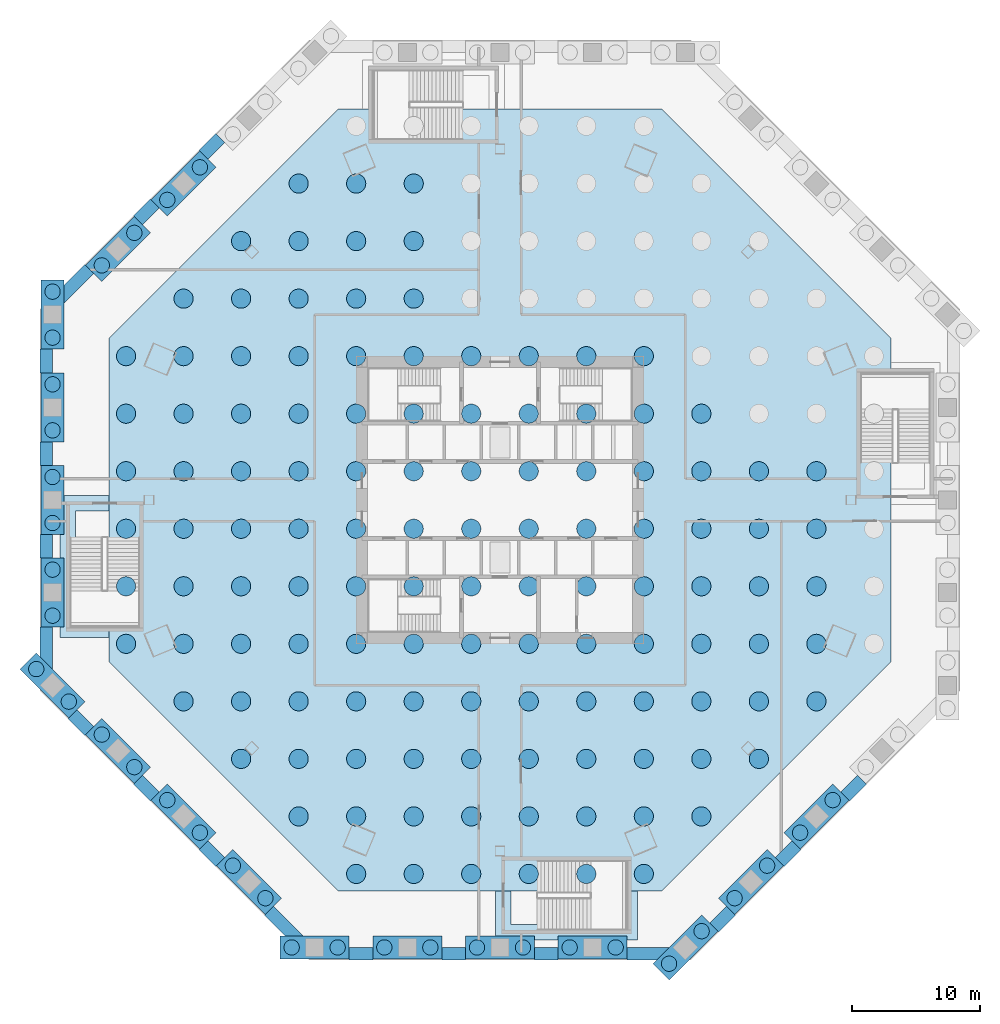
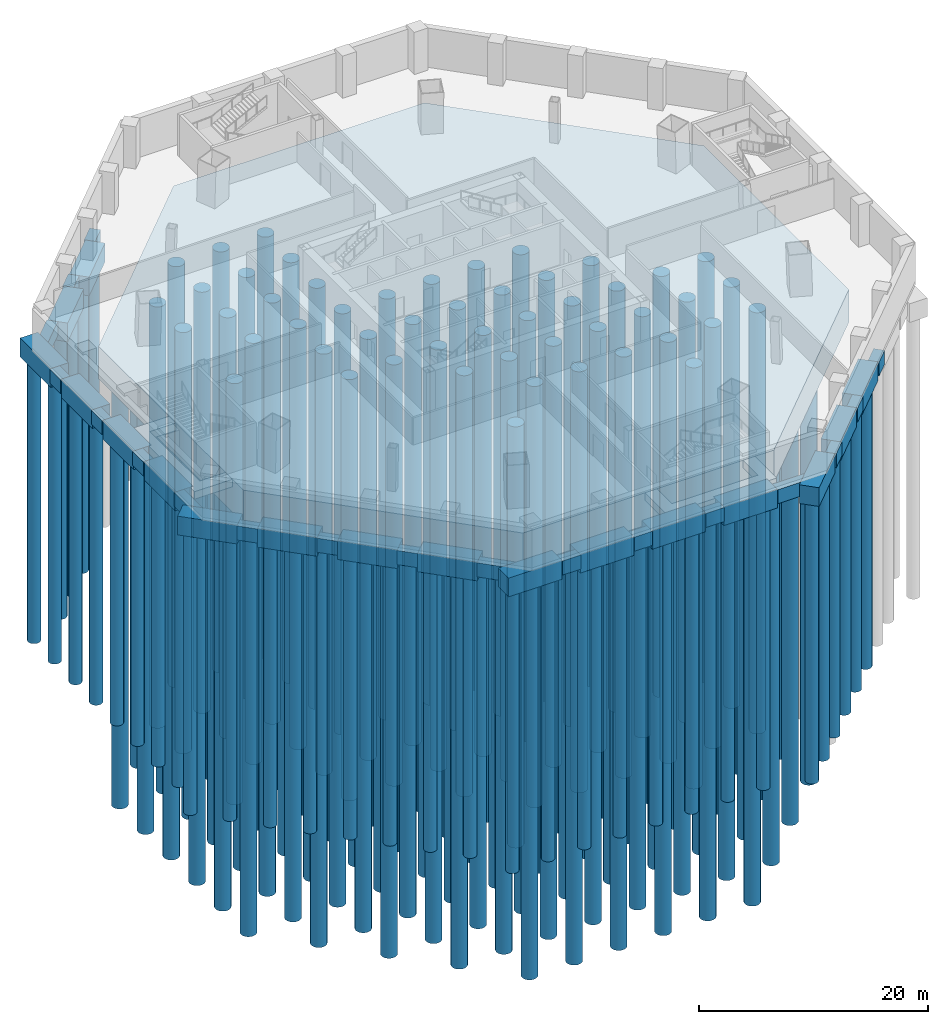
# One storey, part 1 of 11: 155 piles, 38 footings.
"""IFC4 building model written with IfcOpenShell, lengths in metres."""

import ifcopenshell
import ifcopenshell.guid

model = None  # the IFC model being written
_history = None  # IfcOwnerHistory: only IFC2X3 demands one
_inside = {}  # id of a spatial element -> (the spatial element, [elements in it])
_under = {}  # id of a project, library or spatial element -> (it, [spatial elements below it])
_declared = {}  # id of a project -> (the project, [libraries it declares])
_typed = {}  # id of a type object -> (the type object, [elements of that type])
_made_of = {}  # id of a material, layer set ... -> (it, [elements and type objects made of it])


def new_model(schema):
    """Start an empty IFC model of exactly this schema.

    Asked for "IFC4X3", IfcOpenShell would pick the latest addendum, in which some entities
    have other attributes; the version numbers below select the first issue.
    IFC2X3 requires an IfcOwnerHistory on every rooted entity: one is made here for all.
    """
    global model, _history
    if schema == "IFC4X3":
        model = ifcopenshell.file(schema_version=(4, 3, 0, 0))
    else:
        model = ifcopenshell.file(schema=schema)
    _inside.clear()
    _under.clear()
    _declared.clear()
    _typed.clear()
    _made_of.clear()
    _history = None
    if model.schema == "IFC2X3":
        org = make("IfcOrganization", Name="unknown")
        user = make(
            "IfcPersonAndOrganization",
            ThePerson=make("IfcPerson", FamilyName="unknown"),
            TheOrganization=org,
        )
        app = make(
            "IfcApplication",
            ApplicationDeveloper=org,
            Version="unknown",
            ApplicationFullName="unknown",
            ApplicationIdentifier="unknown",
        )
        _history = make(
            "IfcOwnerHistory",
            OwningUser=user,
            OwningApplication=app,
            ChangeAction="ADDED",
            CreationDate=0,
        )
    return model


def make(cls, **values):
    """One entity of the class cls with the attributes given. An attribute that is None is left unset."""
    return model.create_entity(
        cls, **{name: value for name, value in values.items() if value is not None}
    )


def rooted(cls, **values):
    """An entity with a GlobalId (a new one), such as an element, a storey or a relation."""
    return make(cls, GlobalId=ifcopenshell.guid.new(), OwnerHistory=_history, **values)


def si_unit(unit_type, name, prefix=None):
    """IfcSIUnit, for example si_unit("LENGTHUNIT", "METRE", prefix="MILLI")."""
    return make("IfcSIUnit", UnitType=unit_type, Prefix=prefix, Name=name)


def assignment(units):
    """IfcUnitAssignment: the units of a project."""
    return None if units is None else make("IfcUnitAssignment", Units=units)


def point(xyz):
    """IfcCartesianPoint."""
    return None if xyz is None else make("IfcCartesianPoint", Coordinates=xyz)


def direction(xyz):
    """IfcDirection."""
    return None if xyz is None else make("IfcDirection", DirectionRatios=xyz)


def frame(location, z_axis=None, x_axis=None):
    """IfcAxis2Placement3D, a coordinate frame: its origin and axes. An axis left out is left unset."""
    return make(
        "IfcAxis2Placement3D",
        Location=point(location),
        Axis=direction(z_axis),
        RefDirection=direction(x_axis),
    )


def frame_2d(location, x_axis=None):
    """IfcAxis2Placement2D, a coordinate frame in the plane: its origin and x axis."""
    return make(
        "IfcAxis2Placement2D", Location=point(location), RefDirection=direction(x_axis)
    )


def origin():
    """The frame at (0, 0, 0) with its axes left unset."""
    return frame((0.0, 0.0, 0.0))


def origin_2d():
    """The frame at (0, 0) in the plane with its x axis left unset."""
    return frame_2d((0.0, 0.0))


def place(relative_to, where):
    """IfcLocalPlacement: puts the frame where relative to a parent placement (None: the world)."""
    return make(
        "IfcLocalPlacement", PlacementRelTo=relative_to, RelativePlacement=where
    )


def context(
    kind, dimensions, precision=None, world=None, true_north=None, identifier=None
):
    """IfcGeometricRepresentationContext, for example the 3D "Model" context."""
    return make(
        "IfcGeometricRepresentationContext",
        ContextIdentifier=identifier,
        ContextType=kind,
        CoordinateSpaceDimension=dimensions,
        Precision=precision,
        WorldCoordinateSystem=world,
        TrueNorth=true_north,
    )


def subcontext(parent, identifier, kind, view, scale=None):
    """IfcGeometricRepresentationSubContext, for example "Body" below "Model"."""
    return make(
        "IfcGeometricRepresentationSubContext",
        ContextIdentifier=identifier,
        ContextType=kind,
        ParentContext=parent,
        TargetScale=scale,
        TargetView=view,
    )


def project(units=None, contexts=None):
    """IfcProject with its units and contexts."""
    return rooted(
        "IfcProject",
        Name="project",
        RepresentationContexts=contexts,
        UnitsInContext=assignment(units),
    )


def spatial(cls, under=None, at=None, **own):
    """A site, building, storey or space (cls), placed at a placement, below another one or the project."""
    s = rooted(cls, ObjectPlacement=at, **own)
    if under is not None:
        _under.setdefault(under.id(), (under, []))[1].append(s)
    return s


def polyline(points):
    """IfcPolyline through the points."""
    return make("IfcPolyline", Points=[point(p) for p in points])


def profile(cls, at=None, kind="AREA", **sizes):
    """A parametric profile (cls). Its sizes go by their IFC names, for example OverallWidth=200.0."""
    return make(cls, ProfileType=kind, Position=at, **sizes)


def rectangle(**sizes):
    """IfcRectangleProfileDef."""
    return profile("IfcRectangleProfileDef", **sizes)


def circle(**sizes):
    """IfcCircleProfileDef."""
    return profile("IfcCircleProfileDef", **sizes)


def outline(outer, holes=None, kind="AREA"):
    """IfcArbitraryClosedProfileDef: a profile drawn as a closed curve; with holes, ...WithVoids."""
    if holes is None:
        return make("IfcArbitraryClosedProfileDef", ProfileType=kind, OuterCurve=outer)
    return make(
        "IfcArbitraryProfileDefWithVoids",
        ProfileType=kind,
        OuterCurve=outer,
        InnerCurves=holes,
    )


def extrude(swept, where, along, depth):
    """IfcExtrudedAreaSolid: the profile swept, set in the frame where, extruded along a direction by depth."""
    return make(
        "IfcExtrudedAreaSolid",
        SweptArea=swept,
        Position=where,
        ExtrudedDirection=direction(along),
        Depth=depth,
    )


def shape(context_of_items, identifier, shape_type, items):
    """IfcShapeRepresentation: the items that make up one representation, for example the "Body"."""
    return make(
        "IfcShapeRepresentation",
        ContextOfItems=context_of_items,
        RepresentationIdentifier=identifier,
        RepresentationType=shape_type,
        Items=items,
    )


def material(Name=None, Category=None):
    """IfcMaterial."""
    return make("IfcMaterial", Name=Name, Category=Category)


def layer(
    of_material, thickness, ventilated=None, Name=None, Category=None, Priority=None
):
    """IfcMaterialLayer: one layer of a wall or slab, of a material (None: an air gap)."""
    return make(
        "IfcMaterialLayer",
        Material=of_material,
        LayerThickness=thickness,
        IsVentilated=ventilated,
        Name=Name,
        Category=Category,
        Priority=Priority,
    )


def layer_set(layers, Name=None):
    """IfcMaterialLayerSet."""
    return make("IfcMaterialLayerSet", MaterialLayers=layers, LayerSetName=Name)


def material_profile(
    of_material, cross_section, Name=None, Category=None, Priority=None
):
    """IfcMaterialProfile: a cross section and its material."""
    return make(
        "IfcMaterialProfile",
        Name=Name,
        Material=of_material,
        Profile=cross_section,
        Priority=Priority,
        Category=Category,
    )


def profile_set(profiles, Name=None, composite=None):
    """IfcMaterialProfileSet."""
    return make(
        "IfcMaterialProfileSet",
        Name=Name,
        MaterialProfiles=profiles,
        CompositeProfile=composite,
    )


def made_of(thing, what):
    """Note that an element or type object is made of a material, layer set ...; save() writes the relation."""
    if what is not None:
        _made_of.setdefault(what.id(), (what, []))[1].append(thing)
    return thing


def type_object(cls, material=None, **own):
    """A type object (cls), such as IfcWallType, which elements share."""
    return made_of(rooted(cls, **own), material)


def element(
    cls,
    number,
    at=None,
    inside=None,
    cuts=None,
    type_object=None,
    material=None,
    context=None,
    identifier="Body",
    shape_type=None,
    held_by="IfcProductDefinitionShape",
    body=None,
    shapes=None,
    **own,
):
    """One element of the class cls, such as IfcWall. Its Tag is "e" and its number.

    at: its placement. inside: the storey or other place that contains it. cuts: it is an
    opening in that element (IfcRelVoidsElement). A single representation is given by context,
    identifier, shape_type and body (its items); several are given by shapes. held_by: the class
    of the entity that holds the representations. save() writes the other relations.
    """
    e = rooted(cls, Tag="e%d" % number, ObjectPlacement=at, **own)
    if body is not None:
        shapes = [shape(context, identifier, shape_type, body)]
    if shapes is not None:
        e.Representation = make(held_by, Representations=shapes)
    if inside is not None:
        _inside.setdefault(inside.id(), (inside, []))[1].append(e)
    if cuts is not None:
        rooted(
            "IfcRelVoidsElement", RelatingBuildingElement=cuts, RelatedOpeningElement=e
        )
    if type_object is not None:
        _typed.setdefault(type_object.id(), (type_object, []))[1].append(e)
    return made_of(e, material)


def aggregate(whole, parts):
    """IfcRelAggregates: a whole, such as a stair, and the parts it consists of."""
    return rooted("IfcRelAggregates", RelatingObject=whole, RelatedObjects=parts)


def save(model, path):
    """Write the relations noted so far, then the file.

    IfcRelAggregates (storeys below a building ...), IfcRelContainedInSpatialStructure (elements
    in a storey), IfcRelDefinesByType, IfcRelAssociatesMaterial and IfcRelDeclares: one each for
    every whole, place, type object, material and project.
    """
    for whole, parts in _under.values():
        aggregate(whole, parts)
    for where, things in _inside.values():
        rooted(
            "IfcRelContainedInSpatialStructure",
            RelatedElements=things,
            RelatingStructure=where,
        )
    for kind, things in _typed.values():
        rooted("IfcRelDefinesByType", RelatedObjects=things, RelatingType=kind)
    for what, things in _made_of.values():
        rooted("IfcRelAssociatesMaterial", RelatedObjects=things, RelatingMaterial=what)
    for by, libraries in _declared.values():
        rooted("IfcRelDeclares", RelatingContext=by, RelatedDefinitions=libraries)
    model.write(path)


model = new_model("IFC4")

# Units and contexts
model_context = context("Model", 3, precision=1e-05, world=origin(), true_north=direction((0.0, 1.0)))
body_context = subcontext(model_context, "Body", "Model", "MODEL_VIEW")
ifc_project = project(units=[si_unit("LENGTHUNIT", "METRE"), si_unit("AREAUNIT", "SQUARE_METRE"), si_unit("VOLUMEUNIT", "CUBIC_METRE"), si_unit("PLANEANGLEUNIT", "RADIAN"), si_unit("MASSUNIT", "GRAM", prefix="KILO")], contexts=[model_context])

# Site, building, storey
site_placement = place(None, origin())
site = spatial("IfcSite", under=ifc_project, at=site_placement, CompositionType="ELEMENT")
building_placement = place(site_placement, origin())
building = spatial("IfcBuilding", under=site, at=building_placement, Name="Mashrafa Tower", CompositionType="ELEMENT")
storey_placement = place(building_placement, frame((0.0, 0.0, -9.0)))
storey = spatial("IfcBuildingStorey", under=building, at=storey_placement, Name="B2", CompositionType="ELEMENT", Elevation=-9.0)

# Piles
ifc_material_1 = material(Name="Concrete C40/50", Category="concrete")
ifc_material_profile_1 = material_profile(ifc_material_1, circle(Radius=0.60009765625, at=origin_2d()), Name="1200 DIA")
ifc_profile_set_1 = profile_set([ifc_material_profile_1], Name="Concrete C40/50")
pile_type_1 = type_object("IfcPileType", Name="Bored pile 1200", PredefinedType="BORED", material=ifc_profile_set_1)
for number, where, z_axis, x_axis, name in (
    (1, (-23.475830078125, 26.021484375, -2.35009765625), (0.0, 0.0, -1.0), (1.0, 0.0, 0.0), "Pile PC15-1"),
    (2, (-26.021484375, 23.475830078125, -2.35009765625), (0.0, 0.0, -1.0), (1.0, 0.0, 0.0), "Pile PC15-2"),
    (3, (-28.6015625, 20.89599609375, -2.35009765625), (0.0, 0.0, -1.0), (1.0, 0.0, 0.0), "Pile PC16-1"),
    (4, (-31.147216796875, 18.350341796875, -2.35009765625), (0.0, 0.0, -1.0), (1.0, 0.0, 0.0), "Pile PC16-2"),
    (5, (-35.0, 16.29736328125, -2.35009765625), (0.0, 0.0, -1.0), (1.0, 0.0, 0.0), "Pile PC17-1"),
    (6, (-35.0, 12.697509765625, -2.35009765625), (0.0, 0.0, -1.0), (1.0, 0.0, 0.0), "Pile PC17-2"),
    (7, (-35.0, 9.048828125, -2.35009765625), (0.0, 0.0, -1.0), (1.0, 0.0, 0.0), "Pile PC18-1"),
    (8, (-35.0, 5.44873046875, -2.35009765625), (0.0, 0.0, -1.0), (1.0, 0.0, 0.0), "Pile PC18-2"),
    (9, (-35.0, 1.800048828125, -2.35009765625), (0.0, 0.0, -1.0), (1.0, 0.0, 0.0), "Pile PC19-1"),
    (10, (-35.0, -1.800048828125, -2.35009765625), (0.0, 0.0, -1.0), (1.0, 0.0, 0.0), "Pile PC19-2"),
    (11, (-35.0, -5.44873046875, -2.35009765625), (0.0, 0.0, -1.0), (1.0, 0.0, 0.0), "Pile PC20-1"),
    (12, (-35.0, -9.048828125, -2.35009765625), (0.0, 0.0, -1.0), (1.0, 0.0, 0.0), "Pile PC20-2"),
    (13, (-36.272705078125, -13.224609375, -2.35009765625), (0.0, 0.0, -1.0), (1.0, 0.0, 0.0), "Pile PC21-1"),
    (14, (-33.727294921875, -15.770263671875, -2.35009765625), (0.0, 0.0, -1.0), (1.0, 0.0, 0.0), "Pile PC21-2"),
    (15, (-31.147216796875, -18.350341796875, -2.35009765625), (0.0, 0.0, -1.0), (1.0, 0.0, 0.0), "Pile PC22-1"),
    (16, (-28.6015625, -20.89599609375, -2.35009765625), (0.0, 0.0, -1.0), (1.0, 0.0, 0.0), "Pile PC22-2"),
    (17, (-26.021484375, -23.475830078125, -2.35009765625), (0.0, 0.0, -1.0), (1.0, 0.0, 0.0), "Pile PC23-1"),
    (18, (-23.475830078125, -26.021484375, -2.35009765625), (0.0, 0.0, -1.0), (1.0, 0.0, 0.0), "Pile PC23-2"),
    (19, (-20.89599609375, -28.6015625, -2.35009765625), (0.0, 0.0, -1.0), (1.0, 0.0, 0.0), "Pile PC24-1"),
    (20, (-18.350341796875, -31.147216796875, -2.35009765625), (0.0, 0.0, -1.0), (1.0, 0.0, 0.0), "Pile PC24-2"),
    (21, (-16.29736328125, -35.0, -2.35009765625), (0.0, 0.0, -1.0), (1.0, 0.0, 0.0), "Pile PC25-1"),
    (22, (-12.697509765625, -35.0, -2.35009765625), (0.0, 0.0, -1.0), (1.0, 0.0, 0.0), "Pile PC25-2"),
    (23, (-9.048828125, -35.0, -2.35009765625), (0.0, 0.0, -1.0), (1.0, 0.0, 0.0), "Pile PC26-1"),
    (24, (-5.44873046875, -35.0, -2.35009765625), (0.0, 0.0, -1.0), (1.0, 0.0, 0.0), "Pile PC26-2"),
    (25, (-1.800048828125, -35.0, -2.35009765625), (0.0, 0.0, -1.0), (1.0, 0.0, 0.0), "Pile PC27-1"),
    (26, (1.800048828125, -35.0, -2.35009765625), (0.0, 0.0, -1.0), (1.0, 0.0, 0.0), "Pile PC27-2"),
    (27, (5.44873046875, -35.0, -2.35009765625), (0.0, 0.0, -1.0), (1.0, 0.0, 0.0), "Pile PC28-1"),
    (28, (9.048828125, -35.0, -2.35009765625), (0.0, 0.0, -1.0), (1.0, 0.0, 0.0), "Pile PC28-2"),
    (29, (13.224609375, -36.272705078125, -2.35009765625), (0.0, 0.0, -1.0), (1.0, 0.0, 0.0), "Pile PC29-1"),
    (30, (15.770263671875, -33.727294921875, -2.35009765625), (0.0, 0.0, -1.0), (1.0, 0.0, 0.0), "Pile PC29-2"),
    (31, (18.350341796875, -31.147216796875, -2.35009765625), (0.0, 0.0, -1.0), (1.0, 0.0, 0.0), "Pile PC30-1"),
    (32, (20.89599609375, -28.6015625, -2.35009765625), (0.0, 0.0, -1.0), (1.0, 0.0, 0.0), "Pile PC30-2"),
    (33, (23.475830078125, -26.021484375, -2.35009765625), (0.0, 0.0, -1.0), (1.0, 0.0, 0.0), "Pile PC31-1"),
    (34, (26.021484375, -23.475830078125, -2.35009765625), (0.0, 0.0, -1.0), (1.0, 0.0, 0.0), "Pile PC31-2"),
):
    element("IfcPile", number, at=place(storey_placement, frame(where, z_axis=z_axis, x_axis=x_axis)), inside=storey, type_object=pile_type_1, Name=name, PredefinedType="BORED", context=body_context, shape_type="SweptSolid", body=[
        extrude(circle(Radius=0.60009765625, at=origin_2d()), origin(), (0.0, 0.0, 1.0), 30.0),
    ])
ifc_material_2 = material(Name="Concrete C40/50", Category="concrete")
ifc_material_profile_2 = material_profile(ifc_material_2, circle(Radius=0.75, at=origin_2d()), Name="1500 DIA")
ifc_profile_set_2 = profile_set([ifc_material_profile_2], Name="Concrete C40/50")
pile_type_2 = type_object("IfcPileType", Name="Bored pile 1500", PredefinedType="BORED", material=ifc_profile_set_2)
for number, where, z_axis, x_axis, name in (
    (35, (-11.25, -29.25, -3.85009765625), (0.0, 0.0, -1.0), (1.0, 0.0, 0.0), "Raft pile 001"),
    (36, (-6.75, -29.25, -3.85009765625), (0.0, 0.0, -1.0), (1.0, 0.0, 0.0), "Raft pile 002"),
    (37, (-2.25, -29.25, -3.85009765625), (0.0, 0.0, -1.0), (1.0, 0.0, 0.0), "Raft pile 003"),
    (38, (2.25, -29.25, -3.85009765625), (0.0, 0.0, -1.0), (1.0, 0.0, 0.0), "Raft pile 004"),
    (39, (6.75, -29.25, -3.85009765625), (0.0, 0.0, -1.0), (1.0, 0.0, 0.0), "Raft pile 005"),
    (40, (11.25, -29.25, -3.85009765625), (0.0, 0.0, -1.0), (1.0, 0.0, 0.0), "Raft pile 006"),
    (41, (-15.75, -24.75, -3.85009765625), (0.0, 0.0, -1.0), (1.0, 0.0, 0.0), "Raft pile 007"),
    (42, (-11.25, -24.75, -3.85009765625), (0.0, 0.0, -1.0), (1.0, 0.0, 0.0), "Raft pile 008"),
    (43, (-6.75, -24.75, -3.85009765625), (0.0, 0.0, -1.0), (1.0, 0.0, 0.0), "Raft pile 009"),
    (44, (-2.25, -24.75, -3.85009765625), (0.0, 0.0, -1.0), (1.0, 0.0, 0.0), "Raft pile 010"),
    (45, (2.25, -24.75, -3.85009765625), (0.0, 0.0, -1.0), (1.0, 0.0, 0.0), "Raft pile 011"),
    (46, (6.75, -24.75, -3.85009765625), (0.0, 0.0, -1.0), (1.0, 0.0, 0.0), "Raft pile 012"),
    (47, (11.25, -24.75, -3.85009765625), (0.0, 0.0, -1.0), (1.0, 0.0, 0.0), "Raft pile 013"),
    (48, (15.75, -24.75, -3.85009765625), (0.0, 0.0, -1.0), (1.0, 0.0, 0.0), "Raft pile 014"),
    (49, (-20.25, -20.25, -3.85009765625), (0.0, 0.0, -1.0), (1.0, 0.0, 0.0), "Raft pile 015"),
    (50, (-15.75, -20.25, -3.85009765625), (0.0, 0.0, -1.0), (1.0, 0.0, 0.0), "Raft pile 016"),
    (51, (-11.25, -20.25, -3.85009765625), (0.0, 0.0, -1.0), (1.0, 0.0, 0.0), "Raft pile 017"),
    (52, (-6.75, -20.25, -3.85009765625), (0.0, 0.0, -1.0), (1.0, 0.0, 0.0), "Raft pile 018"),
    (53, (-2.25, -20.25, -3.85009765625), (0.0, 0.0, -1.0), (1.0, 0.0, 0.0), "Raft pile 019"),
    (54, (2.25, -20.25, -3.85009765625), (0.0, 0.0, -1.0), (1.0, 0.0, 0.0), "Raft pile 020"),
    (55, (6.75, -20.25, -3.85009765625), (0.0, 0.0, -1.0), (1.0, 0.0, 0.0), "Raft pile 021"),
    (56, (11.25, -20.25, -3.85009765625), (0.0, 0.0, -1.0), (1.0, 0.0, 0.0), "Raft pile 022"),
    (57, (15.75, -20.25, -3.85009765625), (0.0, 0.0, -1.0), (1.0, 0.0, 0.0), "Raft pile 023"),
    (58, (20.25, -20.25, -3.85009765625), (0.0, 0.0, -1.0), (1.0, 0.0, 0.0), "Raft pile 024"),
    (59, (-24.75, -15.75, -3.85009765625), (0.0, 0.0, -1.0), (1.0, 0.0, 0.0), "Raft pile 025"),
    (60, (-20.25, -15.75, -3.85009765625), (0.0, 0.0, -1.0), (1.0, 0.0, 0.0), "Raft pile 026"),
    (61, (-15.75, -15.75, -3.85009765625), (0.0, 0.0, -1.0), (1.0, 0.0, 0.0), "Raft pile 027"),
    (62, (-11.25, -15.75, -3.85009765625), (0.0, 0.0, -1.0), (1.0, 0.0, 0.0), "Raft pile 028"),
    (63, (-6.75, -15.75, -3.85009765625), (0.0, 0.0, -1.0), (1.0, 0.0, 0.0), "Raft pile 029"),
    (64, (-2.25, -15.75, -3.85009765625), (0.0, 0.0, -1.0), (1.0, 0.0, 0.0), "Raft pile 030"),
    (65, (2.25, -15.75, -3.85009765625), (0.0, 0.0, -1.0), (1.0, 0.0, 0.0), "Raft pile 031"),
    (66, (6.75, -15.75, -3.85009765625), (0.0, 0.0, -1.0), (1.0, 0.0, 0.0), "Raft pile 032"),
    (67, (11.25, -15.75, -3.85009765625), (0.0, 0.0, -1.0), (1.0, 0.0, 0.0), "Raft pile 033"),
    (68, (15.75, -15.75, -3.85009765625), (0.0, 0.0, -1.0), (1.0, 0.0, 0.0), "Raft pile 034"),
    (69, (20.25, -15.75, -3.85009765625), (0.0, 0.0, -1.0), (1.0, 0.0, 0.0), "Raft pile 035"),
    (70, (24.75, -15.75, -3.85009765625), (0.0, 0.0, -1.0), (1.0, 0.0, 0.0), "Raft pile 036"),
    (71, (-29.25, -11.25, -3.85009765625), (0.0, 0.0, -1.0), (1.0, 0.0, 0.0), "Raft pile 037"),
    (72, (-24.75, -11.25, -3.85009765625), (0.0, 0.0, -1.0), (1.0, 0.0, 0.0), "Raft pile 038"),
    (73, (-20.25, -11.25, -3.85009765625), (0.0, 0.0, -1.0), (1.0, 0.0, 0.0), "Raft pile 039"),
    (74, (-15.75, -11.25, -3.85009765625), (0.0, 0.0, -1.0), (1.0, 0.0, 0.0), "Raft pile 040"),
    (75, (-11.25, -11.25, -3.85009765625), (0.0, 0.0, -1.0), (1.0, 0.0, 0.0), "Raft pile 041"),
    (76, (-6.75, -11.25, -3.85009765625), (0.0, 0.0, -1.0), (1.0, 0.0, 0.0), "Raft pile 042"),
    (77, (-2.25, -11.25, -3.85009765625), (0.0, 0.0, -1.0), (1.0, 0.0, 0.0), "Raft pile 043"),
    (78, (2.25, -11.25, -3.85009765625), (0.0, 0.0, -1.0), (1.0, 0.0, 0.0), "Raft pile 044"),
    (79, (6.75, -11.25, -3.85009765625), (0.0, 0.0, -1.0), (1.0, 0.0, 0.0), "Raft pile 045"),
    (80, (11.25, -11.25, -3.85009765625), (0.0, 0.0, -1.0), (1.0, 0.0, 0.0), "Raft pile 046"),
    (81, (15.75, -11.25, -3.85009765625), (0.0, 0.0, -1.0), (1.0, 0.0, 0.0), "Raft pile 047"),
    (82, (20.25, -11.25, -3.85009765625), (0.0, 0.0, -1.0), (1.0, 0.0, 0.0), "Raft pile 048"),
    (83, (24.75, -11.25, -3.85009765625), (0.0, 0.0, -1.0), (1.0, 0.0, 0.0), "Raft pile 049"),
    (84, (-29.25, -6.75, -3.85009765625), (0.0, 0.0, -1.0), (1.0, 0.0, 0.0), "Raft pile 051"),
    (85, (-24.75, -6.75, -3.85009765625), (0.0, 0.0, -1.0), (1.0, 0.0, 0.0), "Raft pile 052"),
    (86, (-20.25, -6.75, -3.85009765625), (0.0, 0.0, -1.0), (1.0, 0.0, 0.0), "Raft pile 053"),
    (87, (-15.75, -6.75, -3.85009765625), (0.0, 0.0, -1.0), (1.0, 0.0, 0.0), "Raft pile 054"),
    (88, (-11.25, -6.75, -3.85009765625), (0.0, 0.0, -1.0), (1.0, 0.0, 0.0), "Raft pile 055"),
    (89, (-6.75, -6.75, -3.85009765625), (0.0, 0.0, -1.0), (1.0, 0.0, 0.0), "Raft pile 056"),
    (90, (-2.25, -6.75, -3.85009765625), (0.0, 0.0, -1.0), (1.0, 0.0, 0.0), "Raft pile 057"),
    (91, (2.25, -6.75, -3.85009765625), (0.0, 0.0, -1.0), (1.0, 0.0, 0.0), "Raft pile 058"),
    (92, (6.75, -6.75, -3.85009765625), (0.0, 0.0, -1.0), (1.0, 0.0, 0.0), "Raft pile 059"),
    (93, (11.25, -6.75, -3.85009765625), (0.0, 0.0, -1.0), (1.0, 0.0, 0.0), "Raft pile 060"),
    (94, (15.75, -6.75, -3.85009765625), (0.0, 0.0, -1.0), (1.0, 0.0, 0.0), "Raft pile 061"),
    (95, (20.25, -6.75, -3.85009765625), (0.0, 0.0, -1.0), (1.0, 0.0, 0.0), "Raft pile 062"),
    (96, (24.75, -6.75, -3.85009765625), (0.0, 0.0, -1.0), (1.0, 0.0, 0.0), "Raft pile 063"),
    (97, (-29.25, -2.25, -3.85009765625), (0.0, 0.0, -1.0), (1.0, 0.0, 0.0), "Raft pile 065"),
    (98, (-24.75, -2.25, -3.85009765625), (0.0, 0.0, -1.0), (1.0, 0.0, 0.0), "Raft pile 066"),
    (99, (-20.25, -2.25, -3.85009765625), (0.0, 0.0, -1.0), (1.0, 0.0, 0.0), "Raft pile 067"),
    (100, (-15.75, -2.25, -3.85009765625), (0.0, 0.0, -1.0), (1.0, 0.0, 0.0), "Raft pile 068"),
    (101, (-11.25, -2.25, -3.85009765625), (0.0, 0.0, -1.0), (1.0, 0.0, 0.0), "Raft pile 069"),
    (102, (-6.75, -2.25, -3.85009765625), (0.0, 0.0, -1.0), (1.0, 0.0, 0.0), "Raft pile 070"),
    (103, (-2.25, -2.25, -3.85009765625), (0.0, 0.0, -1.0), (1.0, 0.0, 0.0), "Raft pile 071"),
    (104, (2.25, -2.25, -3.85009765625), (0.0, 0.0, -1.0), (1.0, 0.0, 0.0), "Raft pile 072"),
    (105, (6.75, -2.25, -3.85009765625), (0.0, 0.0, -1.0), (1.0, 0.0, 0.0), "Raft pile 073"),
    (106, (11.25, -2.25, -3.85009765625), (0.0, 0.0, -1.0), (1.0, 0.0, 0.0), "Raft pile 074"),
    (107, (15.75, -2.25, -3.85009765625), (0.0, 0.0, -1.0), (1.0, 0.0, 0.0), "Raft pile 075"),
    (108, (20.25, -2.25, -3.85009765625), (0.0, 0.0, -1.0), (1.0, 0.0, 0.0), "Raft pile 076"),
    (109, (24.75, -2.25, -3.85009765625), (0.0, 0.0, -1.0), (1.0, 0.0, 0.0), "Raft pile 077"),
    (110, (-29.25, 2.25, -3.85009765625), (0.0, 0.0, -1.0), (1.0, 0.0, 0.0), "Raft pile 079"),
    (111, (-24.75, 2.25, -3.85009765625), (0.0, 0.0, -1.0), (1.0, 0.0, 0.0), "Raft pile 080"),
    (112, (-20.25, 2.25, -3.85009765625), (0.0, 0.0, -1.0), (1.0, 0.0, 0.0), "Raft pile 081"),
    (113, (-15.75, 2.25, -3.85009765625), (0.0, 0.0, -1.0), (1.0, 0.0, 0.0), "Raft pile 082"),
    (114, (-11.25, 2.25, -3.85009765625), (0.0, 0.0, -1.0), (1.0, 0.0, 0.0), "Raft pile 083"),
    (115, (-6.75, 2.25, -3.85009765625), (0.0, 0.0, -1.0), (1.0, 0.0, 0.0), "Raft pile 084"),
    (116, (-2.25, 2.25, -3.85009765625), (0.0, 0.0, -1.0), (1.0, 0.0, 0.0), "Raft pile 085"),
    (117, (2.25, 2.25, -3.85009765625), (0.0, 0.0, -1.0), (1.0, 0.0, 0.0), "Raft pile 086"),
    (118, (6.75, 2.25, -3.85009765625), (0.0, 0.0, -1.0), (1.0, 0.0, 0.0), "Raft pile 087"),
    (119, (11.25, 2.25, -3.85009765625), (0.0, 0.0, -1.0), (1.0, 0.0, 0.0), "Raft pile 088"),
    (120, (15.75, 2.25, -3.85009765625), (0.0, 0.0, -1.0), (1.0, 0.0, 0.0), "Raft pile 089"),
    (121, (20.25, 2.25, -3.85009765625), (0.0, 0.0, -1.0), (1.0, 0.0, 0.0), "Raft pile 090"),
    (122, (24.75, 2.25, -3.85009765625), (0.0, 0.0, -1.0), (1.0, 0.0, 0.0), "Raft pile 091"),
    (123, (-29.25, 6.75, -3.85009765625), (0.0, 0.0, -1.0), (1.0, 0.0, 0.0), "Raft pile 093"),
    (124, (-24.75, 6.75, -3.85009765625), (0.0, 0.0, -1.0), (1.0, 0.0, 0.0), "Raft pile 094"),
    (125, (-20.25, 6.75, -3.85009765625), (0.0, 0.0, -1.0), (1.0, 0.0, 0.0), "Raft pile 095"),
    (126, (-15.75, 6.75, -3.85009765625), (0.0, 0.0, -1.0), (1.0, 0.0, 0.0), "Raft pile 096"),
    (127, (-11.25, 6.75, -3.85009765625), (0.0, 0.0, -1.0), (1.0, 0.0, 0.0), "Raft pile 097"),
    (128, (-6.75, 6.75, -3.85009765625), (0.0, 0.0, -1.0), (1.0, 0.0, 0.0), "Raft pile 098"),
    (129, (-2.25, 6.75, -3.85009765625), (0.0, 0.0, -1.0), (1.0, 0.0, 0.0), "Raft pile 099"),
    (130, (2.25, 6.75, -3.85009765625), (0.0, 0.0, -1.0), (1.0, 0.0, 0.0), "Raft pile 100"),
    (131, (6.75, 6.75, -3.85009765625), (0.0, 0.0, -1.0), (1.0, 0.0, 0.0), "Raft pile 101"),
    (132, (11.25, 6.75, -3.85009765625), (0.0, 0.0, -1.0), (1.0, 0.0, 0.0), "Raft pile 102"),
    (133, (15.75, 6.75, -3.85009765625), (0.0, 0.0, -1.0), (1.0, 0.0, 0.0), "Raft pile 103"),
    (134, (-29.25, 11.25, -3.85009765625), (0.0, 0.0, -1.0), (1.0, 0.0, 0.0), "Raft pile 107"),
    (135, (-24.75, 11.25, -3.85009765625), (0.0, 0.0, -1.0), (1.0, 0.0, 0.0), "Raft pile 108"),
    (136, (-20.25, 11.25, -3.85009765625), (0.0, 0.0, -1.0), (1.0, 0.0, 0.0), "Raft pile 109"),
    (137, (-15.75, 11.25, -3.85009765625), (0.0, 0.0, -1.0), (1.0, 0.0, 0.0), "Raft pile 110"),
    (138, (-11.25, 11.25, -3.85009765625), (0.0, 0.0, -1.0), (1.0, 0.0, 0.0), "Raft pile 111"),
    (139, (-6.75, 11.25, -3.85009765625), (0.0, 0.0, -1.0), (1.0, 0.0, 0.0), "Raft pile 112"),
    (140, (-2.25, 11.25, -3.85009765625), (0.0, 0.0, -1.0), (1.0, 0.0, 0.0), "Raft pile 113"),
    (141, (2.25, 11.25, -3.85009765625), (0.0, 0.0, -1.0), (1.0, 0.0, 0.0), "Raft pile 114"),
    (142, (6.75, 11.25, -3.85009765625), (0.0, 0.0, -1.0), (1.0, 0.0, 0.0), "Raft pile 115"),
    (143, (11.25, 11.25, -3.85009765625), (0.0, 0.0, -1.0), (1.0, 0.0, 0.0), "Raft pile 116"),
    (144, (-24.75, 15.75, -3.85009765625), (0.0, 0.0, -1.0), (1.0, 0.0, 0.0), "Raft pile 121"),
    (145, (-20.25, 15.75, -3.85009765625), (0.0, 0.0, -1.0), (1.0, 0.0, 0.0), "Raft pile 122"),
    (146, (-15.75, 15.75, -3.85009765625), (0.0, 0.0, -1.0), (1.0, 0.0, 0.0), "Raft pile 123"),
    (147, (-11.25, 15.75, -3.85009765625), (0.0, 0.0, -1.0), (1.0, 0.0, 0.0), "Raft pile 124"),
    (148, (-6.75, 15.75, -3.85009765625), (0.0, 0.0, -1.0), (1.0, 0.0, 0.0), "Raft pile 125"),
    (149, (-20.25, 20.25, -3.85009765625), (0.0, 0.0, -1.0), (1.0, 0.0, 0.0), "Raft pile 133"),
    (150, (-15.75, 20.25, -3.85009765625), (0.0, 0.0, -1.0), (1.0, 0.0, 0.0), "Raft pile 134"),
    (151, (-11.25, 20.25, -3.85009765625), (0.0, 0.0, -1.0), (1.0, 0.0, 0.0), "Raft pile 135"),
    (152, (-6.75, 20.25, -3.85009765625), (0.0, 0.0, -1.0), (1.0, 0.0, 0.0), "Raft pile 136"),
    (153, (-15.75, 24.75, -3.85009765625), (0.0, 0.0, -1.0), (1.0, 0.0, 0.0), "Raft pile 143"),
    (154, (-11.25, 24.75, -3.85009765625), (0.0, 0.0, -1.0), (1.0, 0.0, 0.0), "Raft pile 144"),
    (155, (-6.75, 24.75, -3.85009765625), (0.0, 0.0, -1.0), (1.0, 0.0, 0.0), "Raft pile 145"),
):
    element("IfcPile", number, at=place(storey_placement, frame(where, z_axis=z_axis, x_axis=x_axis)), inside=storey, type_object=pile_type_2, Name=name, PredefinedType="BORED", context=body_context, shape_type="SweptSolid", body=[
        extrude(circle(Radius=0.75, at=origin_2d()), origin(), (0.0, 0.0, 1.0), 45.0),
    ])

# Footings
ifc_material_3 = material(Name="Concrete C40/50", Category="concrete")
footing_type_1 = type_object("IfcFootingType", Name="Ground beam 1000x1500", PredefinedType="STRIP_FOOTING", material=ifc_material_3)
footing_1_placement = place(storey_placement, frame((0.0, 0.0, -1.85009765625)))
element("IfcFooting", 156, at=footing_1_placement, inside=storey, type_object=footing_type_1, Name="Perimeter ground beam north-west face 2", PredefinedType="STRIP_FOOTING", context=body_context, shape_type="SweptSolid", body=[
    extrude(outline(polyline([(-22.839599609375, 26.657958984375), (-23.546630859375, 27.364990234375), (-22.239501953125, 28.67236328125), (-21.5322265625, 27.965087890625), (-22.839599609375, 26.657958984375)])), origin(), (0.0, 0.0, 1.0), 1.5),
])
footing_2_placement = place(storey_placement, frame((0.0, 0.0, -1.85009765625)))
element("IfcFooting", 157, at=footing_2_placement, inside=storey, type_object=footing_type_1, Name="Perimeter ground beam north-west face 3", PredefinedType="STRIP_FOOTING", context=body_context, shape_type="SweptSolid", body=[
    extrude(outline(polyline([(-27.965087890625, 21.5322265625), (-28.67236328125, 22.239501953125), (-27.364990234375, 23.546630859375), (-26.657958984375, 22.839599609375), (-27.965087890625, 21.5322265625)])), origin(), (0.0, 0.0, 1.0), 1.5),
])
footing_3_placement = place(storey_placement, frame((0.0, 0.0, -1.85009765625)))
element("IfcFooting", 158, at=footing_3_placement, inside=storey, type_object=footing_type_1, Name="Perimeter ground beam north-west face 4", PredefinedType="STRIP_FOOTING", context=body_context, shape_type="SweptSolid", body=[
    extrude(outline(polyline([(-34.10009765625, 15.3974609375), (-34.10009765625, 16.811767578125), (-32.49072265625, 18.421142578125), (-31.783447265625, 17.7138671875), (-34.10009765625, 15.3974609375)])), origin(), (0.0, 0.0, 1.0), 1.5),
])
footing_4_placement = place(storey_placement, frame((0.0, 0.0, -1.85009765625)))
element("IfcFooting", 159, at=footing_4_placement, inside=storey, type_object=footing_type_1, Name="Perimeter ground beam west face 1", PredefinedType="STRIP_FOOTING", context=body_context, shape_type="SweptSolid", body=[
    extrude(outline(polyline([(-35.0, 9.94873046875), (-36.0, 9.94873046875), (-36.0, 11.79736328125), (-35.0, 11.79736328125), (-35.0, 9.94873046875)])), origin(), (0.0, 0.0, 1.0), 1.5),
])
footing_5_placement = place(storey_placement, frame((0.0, 0.0, -1.85009765625)))
element("IfcFooting", 160, at=footing_5_placement, inside=storey, type_object=footing_type_1, Name="Perimeter ground beam west face 2", PredefinedType="STRIP_FOOTING", context=body_context, shape_type="SweptSolid", body=[
    extrude(outline(polyline([(-35.0, 2.699951171875), (-36.0, 2.699951171875), (-36.0, 4.548828125), (-35.0, 4.548828125), (-35.0, 2.699951171875)])), origin(), (0.0, 0.0, 1.0), 1.5),
])
footing_6_placement = place(storey_placement, frame((0.0, 0.0, -1.85009765625)))
element("IfcFooting", 161, at=footing_6_placement, inside=storey, type_object=footing_type_1, Name="Perimeter ground beam west face 3", PredefinedType="STRIP_FOOTING", context=body_context, shape_type="SweptSolid", body=[
    extrude(outline(polyline([(-35.0, -4.548828125), (-36.0, -4.548828125), (-36.0, -2.699951171875), (-35.0, -2.699951171875), (-35.0, -4.548828125)])), origin(), (0.0, 0.0, 1.0), 1.5),
])
footing_7_placement = place(storey_placement, frame((0.0, 0.0, -1.85009765625)))
element("IfcFooting", 162, at=footing_7_placement, inside=storey, type_object=footing_type_1, Name="Perimeter ground beam west face 4", PredefinedType="STRIP_FOOTING", context=body_context, shape_type="SweptSolid", body=[
    extrude(outline(polyline([(-35.0, -13.224609375), (-36.0, -12.224609375), (-36.0, -9.94873046875), (-35.0, -9.94873046875), (-35.0, -13.224609375)])), origin(), (0.0, 0.0, 1.0), 1.5),
])
footing_8_placement = place(storey_placement, frame((0.0, 0.0, -1.85009765625)))
element("IfcFooting", 163, at=footing_8_placement, inside=storey, type_object=footing_type_1, Name="Perimeter ground beam south-west face 1", PredefinedType="STRIP_FOOTING", context=body_context, shape_type="SweptSolid", body=[
    extrude(outline(polyline([(-31.783447265625, -17.7138671875), (-32.49072265625, -18.421142578125), (-33.7978515625, -17.11376953125), (-33.0908203125, -16.40673828125), (-31.783447265625, -17.7138671875)])), origin(), (0.0, 0.0, 1.0), 1.5),
])
footing_9_placement = place(storey_placement, frame((0.0, 0.0, -1.85009765625)))
element("IfcFooting", 164, at=footing_9_placement, inside=storey, type_object=footing_type_1, Name="Perimeter ground beam south-west face 2", PredefinedType="STRIP_FOOTING", context=body_context, shape_type="SweptSolid", body=[
    extrude(outline(polyline([(-26.657958984375, -22.839599609375), (-27.364990234375, -23.546630859375), (-28.67236328125, -22.239501953125), (-27.965087890625, -21.5322265625), (-26.657958984375, -22.839599609375)])), origin(), (0.0, 0.0, 1.0), 1.5),
])
footing_10_placement = place(storey_placement, frame((0.0, 0.0, -1.85009765625)))
element("IfcFooting", 165, at=footing_10_placement, inside=storey, type_object=footing_type_1, Name="Perimeter ground beam south-west face 3", PredefinedType="STRIP_FOOTING", context=body_context, shape_type="SweptSolid", body=[
    extrude(outline(polyline([(-21.5322265625, -27.965087890625), (-22.239501953125, -28.67236328125), (-23.546630859375, -27.364990234375), (-22.839599609375, -26.657958984375), (-21.5322265625, -27.965087890625)])), origin(), (0.0, 0.0, 1.0), 1.5),
])
footing_11_placement = place(storey_placement, frame((0.0, 0.0, -1.85009765625)))
element("IfcFooting", 166, at=footing_11_placement, inside=storey, type_object=footing_type_1, Name="Perimeter ground beam south-west face 4", PredefinedType="STRIP_FOOTING", context=body_context, shape_type="SweptSolid", body=[
    extrude(outline(polyline([(-15.3974609375, -34.10009765625), (-16.811767578125, -34.10009765625), (-18.421142578125, -32.49072265625), (-17.7138671875, -31.783447265625), (-15.3974609375, -34.10009765625)])), origin(), (0.0, 0.0, 1.0), 1.5),
])
footing_12_placement = place(storey_placement, frame((0.0, 0.0, -1.85009765625)))
element("IfcFooting", 167, at=footing_12_placement, inside=storey, type_object=footing_type_1, Name="Perimeter ground beam south face 1", PredefinedType="STRIP_FOOTING", context=body_context, shape_type="SweptSolid", body=[
    extrude(outline(polyline([(-9.94873046875, -35.0), (-9.94873046875, -36.0), (-11.79736328125, -36.0), (-11.79736328125, -35.0), (-9.94873046875, -35.0)])), origin(), (0.0, 0.0, 1.0), 1.5),
])
footing_13_placement = place(storey_placement, frame((0.0, 0.0, -1.85009765625)))
element("IfcFooting", 168, at=footing_13_placement, inside=storey, type_object=footing_type_1, Name="Perimeter ground beam south face 2", PredefinedType="STRIP_FOOTING", context=body_context, shape_type="SweptSolid", body=[
    extrude(outline(polyline([(-2.699951171875, -35.0), (-2.699951171875, -36.0), (-4.548828125, -36.0), (-4.548828125, -35.0), (-2.699951171875, -35.0)])), origin(), (0.0, 0.0, 1.0), 1.5),
])
footing_14_placement = place(storey_placement, frame((0.0, 0.0, -1.85009765625)))
element("IfcFooting", 169, at=footing_14_placement, inside=storey, type_object=footing_type_1, Name="Perimeter ground beam south face 3", PredefinedType="STRIP_FOOTING", context=body_context, shape_type="SweptSolid", body=[
    extrude(outline(polyline([(4.548828125, -35.0), (4.548828125, -36.0), (2.699951171875, -36.0), (2.699951171875, -35.0), (4.548828125, -35.0)])), origin(), (0.0, 0.0, 1.0), 1.5),
])
footing_15_placement = place(storey_placement, frame((0.0, 0.0, -1.85009765625)))
element("IfcFooting", 170, at=footing_15_placement, inside=storey, type_object=footing_type_1, Name="Perimeter ground beam south face 4", PredefinedType="STRIP_FOOTING", context=body_context, shape_type="SweptSolid", body=[
    extrude(outline(polyline([(13.224609375, -35.0), (12.224609375, -36.0), (9.94873046875, -36.0), (9.94873046875, -35.0), (13.224609375, -35.0)])), origin(), (0.0, 0.0, 1.0), 1.5),
])
footing_16_placement = place(storey_placement, frame((0.0, 0.0, -1.85009765625)))
element("IfcFooting", 171, at=footing_16_placement, inside=storey, type_object=footing_type_1, Name="Perimeter ground beam south-east face 1", PredefinedType="STRIP_FOOTING", context=body_context, shape_type="SweptSolid", body=[
    extrude(outline(polyline([(17.7138671875, -31.783447265625), (18.421142578125, -32.49072265625), (17.11376953125, -33.7978515625), (16.40673828125, -33.0908203125), (17.7138671875, -31.783447265625)])), origin(), (0.0, 0.0, 1.0), 1.5),
])
footing_17_placement = place(storey_placement, frame((0.0, 0.0, -1.85009765625)))
element("IfcFooting", 172, at=footing_17_placement, inside=storey, type_object=footing_type_1, Name="Perimeter ground beam south-east face 2", PredefinedType="STRIP_FOOTING", context=body_context, shape_type="SweptSolid", body=[
    extrude(outline(polyline([(22.839599609375, -26.657958984375), (23.546630859375, -27.364990234375), (22.239501953125, -28.67236328125), (21.5322265625, -27.965087890625), (22.839599609375, -26.657958984375)])), origin(), (0.0, 0.0, 1.0), 1.5),
])
footing_18_placement = place(storey_placement, frame((0.0, 0.0, -1.85009765625)))
element("IfcFooting", 173, at=footing_18_placement, inside=storey, type_object=footing_type_1, Name="Perimeter ground beam south-east face 3", PredefinedType="STRIP_FOOTING", context=body_context, shape_type="SweptSolid", body=[
    extrude(outline(polyline([(27.965087890625, -21.5322265625), (28.67236328125, -22.239501953125), (27.364990234375, -23.546630859375), (26.657958984375, -22.839599609375), (27.965087890625, -21.5322265625)])), origin(), (0.0, 0.0, 1.0), 1.5),
])
ifc_material_4 = material(Name="Concrete C40/50", Category="concrete")
footing_type_2 = type_object("IfcFootingType", Name="Pile cap PC2", PredefinedType="PILE_CAP", material=ifc_material_4)
for number, where, z_axis, x_axis, name in (
    (174, (-24.748779296875, 24.748779296875, -2.35009765625), (0.0, 0.0, 1.0), (-0.707106781187, -0.707106781187, 0.0), "Pile cap PC15"),
    (175, (-29.874267578125, 19.623046875, -2.35009765625), (0.0, 0.0, 1.0), (-0.707106781187, -0.707106781187, 0.0), "Pile cap PC16"),
    (176, (-35.0, 14.49755859375, -2.35009765625), (0.0, 0.0, 1.0), (0.0, -1.0, 0.0), "Pile cap PC17"),
    (177, (-35.0, 7.248779296875, -2.35009765625), (0.0, 0.0, 1.0), (0.0, -1.0, 0.0), "Pile cap PC18"),
    (178, (-35.0, 0.0, -2.35009765625), (0.0, 0.0, 1.0), (0.0, -1.0, 0.0), "Pile cap PC19"),
    (179, (-35.0, -7.248779296875, -2.35009765625), (0.0, 0.0, 1.0), (0.0, -1.0, 0.0), "Pile cap PC20"),
    (180, (-35.0, -14.49755859375, -2.35009765625), (0.0, 0.0, 1.0), (0.707106781187, -0.707106781187, 0.0), "Pile cap PC21"),
    (181, (-29.874267578125, -19.623046875, -2.35009765625), (0.0, 0.0, 1.0), (0.707106781187, -0.707106781187, 0.0), "Pile cap PC22"),
    (182, (-24.748779296875, -24.748779296875, -2.35009765625), (0.0, 0.0, 1.0), (0.707106781187, -0.707106781187, 0.0), "Pile cap PC23"),
    (183, (-19.623046875, -29.874267578125, -2.35009765625), (0.0, 0.0, 1.0), (0.707106781187, -0.707106781187, 0.0), "Pile cap PC24"),
    (184, (-14.49755859375, -35.0, -2.35009765625), (0.0, 0.0, 1.0), (1.0, 0.0, 0.0), "Pile cap PC25"),
    (185, (-7.248779296875, -35.0, -2.35009765625), (0.0, 0.0, 1.0), (1.0, 0.0, 0.0), "Pile cap PC26"),
    (186, (0.0, -35.0, -2.35009765625), (0.0, 0.0, 1.0), (1.0, 0.0, 0.0), "Pile cap PC27"),
    (187, (7.248779296875, -35.0, -2.35009765625), (0.0, 0.0, 1.0), (1.0, 0.0, 0.0), "Pile cap PC28"),
    (188, (14.49755859375, -35.0, -2.35009765625), (0.0, 0.0, 1.0), (0.707106781187, 0.707106781187, 0.0), "Pile cap PC29"),
    (189, (19.623046875, -29.874267578125, -2.35009765625), (0.0, 0.0, 1.0), (0.707106781187, 0.707106781187, 0.0), "Pile cap PC30"),
    (190, (24.748779296875, -24.748779296875, -2.35009765625), (0.0, 0.0, 1.0), (0.707106781187, 0.707106781187, 0.0), "Pile cap PC31"),
):
    element("IfcFooting", number, at=place(storey_placement, frame(where, z_axis=z_axis, x_axis=x_axis)), inside=storey, type_object=footing_type_2, Name=name, PredefinedType="PILE_CAP", context=body_context, shape_type="SweptSolid", body=[
        extrude(rectangle(XDim=5.39990234375, YDim=1.800048828125, at=origin_2d()), origin(), (0.0, 0.0, 1.0), 2.0),
    ])
ifc_material_5 = material(Name="Concrete C50/60", Category="concrete")
ifc_layer_1 = layer(ifc_material_5, 3.5)
ifc_layer_set_1 = layer_set([ifc_layer_1], Name="Piled raft 3500")
footing_type_3 = type_object("IfcFootingType", Name="Piled raft 3500", PredefinedType="PAD_FOOTING", material=ifc_layer_set_1)
footing_19_placement = place(storey_placement, frame((0.0, 0.0, -3.85009765625)))
element("IfcFooting", 191, at=footing_19_placement, inside=storey, type_object=footing_type_3, Name="Tower piled raft", PredefinedType="PAD_FOOTING", context=body_context, shape_type="SweptSolid", body=[
    extrude(outline(polyline([(30.5791015625, -12.666259765625), (30.5791015625, 12.666259765625), (12.666259765625, 30.5791015625), (-12.666259765625, 30.5791015625), (-30.5791015625, 12.666259765625), (-30.5791015625, -12.666259765625), (-12.666259765625, -30.5791015625), (12.666259765625, -30.5791015625), (30.5791015625, -12.666259765625)])), origin(), (0.0, 0.0, 1.0), 3.5),
])
ifc_material_6 = material(Name="Concrete C40/50", Category="concrete")
ifc_layer_2 = layer(ifc_material_6, 0.800048828125)
ifc_layer_set_2 = layer_set([ifc_layer_2], Name="Strip footing 1200x800")
footing_type_4 = type_object("IfcFootingType", Name="Strip footing 1200x800", PredefinedType="STRIP_FOOTING", material=ifc_layer_set_2)
footing_20_placement = place(storey_placement, frame((0.0, 0.0, -1.14990234375)))
element("IfcFooting", 192, at=footing_20_placement, inside=storey, type_object=footing_type_4, Name="Stair P3 core strip footing 1", PredefinedType="STRIP_FOOTING", context=body_context, shape_type="SweptSolid", body=[
    extrude(outline(polyline([(-34.39990234375, -9.94970703125), (-34.10009765625, -9.94970703125), (-34.099365234375, -9.949462890625), (-34.09912109375, -9.94873046875), (-34.09912109375, -4.548583984375), (-34.099365234375, -4.5478515625), (-34.10009765625, -4.5478515625), (-34.39990234375, -4.5478515625), (-34.39990234375, -2.700927734375), (-34.10009765625, -2.700927734375), (-34.099365234375, -2.70068359375), (-34.09912109375, -2.7001953125), (-34.09912109375, 0.35009765625), (-30.580322265625, 0.35009765625), (-30.580322265625, -0.85009765625), (-33.199951171875, -0.85009765625), (-33.199951171875, -9.550048828125), (-30.580322265625, -9.550048828125), (-30.580322265625, -10.75), (-34.39990234375, -10.75), (-34.39990234375, -9.94970703125)])), origin(), (0.0, 0.0, 1.0), 0.7998046875),
])
footing_21_placement = place(storey_placement, frame((0.0, 0.0, -1.14990234375)))
element("IfcFooting", 193, at=footing_21_placement, inside=storey, type_object=footing_type_4, Name="Stair P4 core strip footing 1", PredefinedType="STRIP_FOOTING", context=body_context, shape_type="SweptSolid", body=[
    extrude(outline(polyline([(-0.35009765625, -30.580322265625), (0.85009765625, -30.580322265625), (0.85009765625, -33.199951171875), (9.550048828125, -33.199951171875), (9.550048828125, -30.580322265625), (10.75, -30.580322265625), (10.75, -34.39990234375), (9.94970703125, -34.39990234375), (9.94970703125, -34.10009765625), (9.949462890625, -34.099365234375), (9.94873046875, -34.09912109375), (4.548583984375, -34.09912109375), (4.5478515625, -34.099365234375), (4.5478515625, -34.10009765625), (4.5478515625, -34.39990234375), (2.700927734375, -34.39990234375), (2.700927734375, -34.10009765625), (2.70068359375, -34.099365234375), (2.7001953125, -34.09912109375), (-0.35009765625, -34.09912109375), (-0.35009765625, -30.580322265625)])), origin(), (0.0, 0.0, 1.0), 0.7998046875),
])

save(model, "model.ifc")
